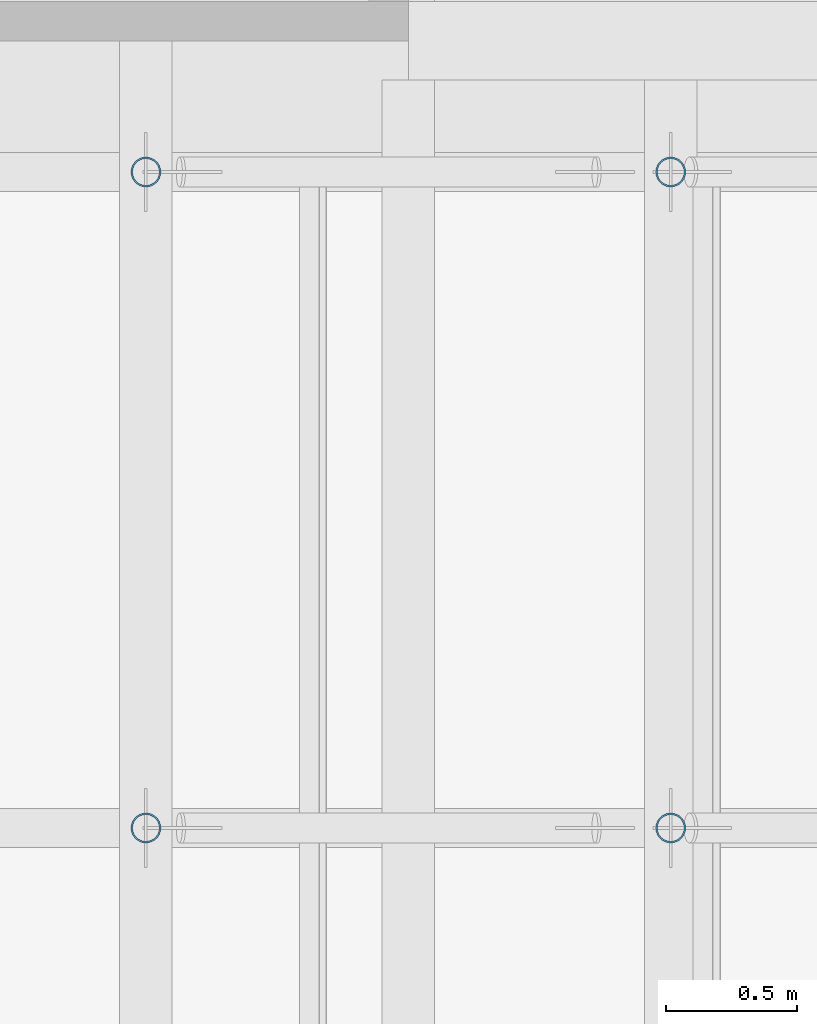
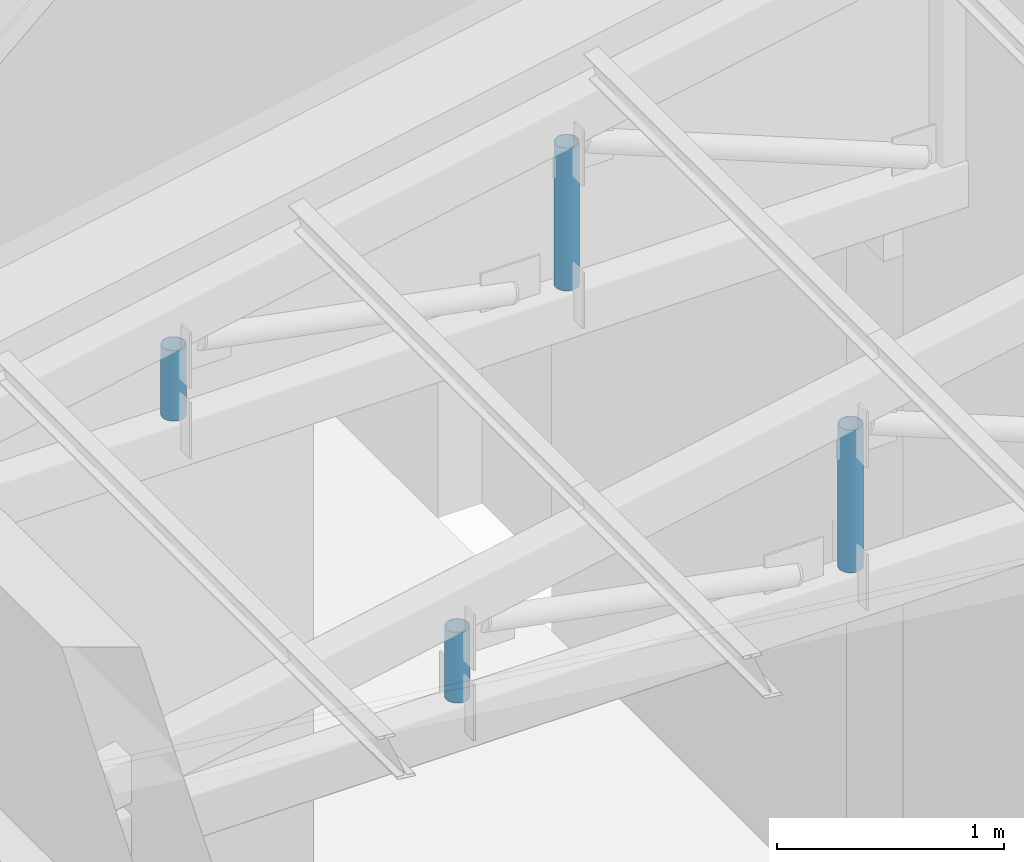
# One storey, part 55 of 118: 4 members.
"""IFC4 building model written with IfcOpenShell, lengths in metres."""

from ifc_helpers import new_model, si_unit, direction, frame, origin, origin_2d, place, context, subcontext, project, spatial, hollow_circle, extrude, material, material_profile, profile_set, type_object, element, save


model = new_model("IFC4")

# Units and contexts
model_context = context("Model", 3, precision=1e-05, world=origin(), true_north=direction((0.0, 1.0)))
body_context = subcontext(model_context, "Body", "Model", "MODEL_VIEW")
ifc_project = project(units=[si_unit("LENGTHUNIT", "METRE"), si_unit("AREAUNIT", "SQUARE_METRE"), si_unit("VOLUMEUNIT", "CUBIC_METRE"), si_unit("PLANEANGLEUNIT", "RADIAN"), si_unit("MASSUNIT", "GRAM", prefix="KILO")], contexts=[model_context])

# Site, building, storey
site_placement = place(None, origin())
site = spatial("IfcSite", under=ifc_project, at=site_placement, CompositionType="ELEMENT")
building_placement = place(site_placement, origin())
building = spatial("IfcBuilding", under=site, at=building_placement, Name="Saffron Lane Theatres", CompositionType="ELEMENT")
storey_placement = place(building_placement, frame((0.0, 0.0, 16.5)))
storey = spatial("IfcBuildingStorey", under=building, at=storey_placement, Name="L03", CompositionType="ELEMENT", Elevation=16.5)

# Members
ifc_material = material(Name="Steel Grade 350", Category="steel")
ifc_material_profile = material_profile(ifc_material, hollow_circle(Radius=0.05712890625, WallThickness=0.006103515625, at=origin_2d()))
ifc_profile_set = profile_set([ifc_material_profile], Name="Steel Grade 350")
member_type = type_object("IfcMemberType", Name="ST-STUDIO TRUSS WEB 114.3x6.0 CHS", PredefinedType="BRACE", material=ifc_profile_set)
member_1_placement = place(storey_placement, frame((14.0, 51.0, 4.75), z_axis=(0.0, 0.0, 1.0), x_axis=(1.0, 0.0, 0.0)))
element("IfcMember", 1, at=member_1_placement, inside=storey, type_object=member_type, Name="SB3-W32", PredefinedType="BRACE", context=body_context, shape_type="SweptSolid", body=[
    extrude(hollow_circle(Radius=0.05712890625, WallThickness=0.006103515625, at=origin_2d()), origin(), (0.0, 0.0, 1.0), 0.377197265625),
])
member_2_placement = place(storey_placement, frame((16.0, 51.0, 4.75), z_axis=(0.0, 0.0, 1.0), x_axis=(1.0, 0.0, 0.0)))
element("IfcMember", 2, at=member_2_placement, inside=storey, type_object=member_type, Name="SB3-W33", PredefinedType="BRACE", context=body_context, shape_type="SweptSolid", body=[
    extrude(hollow_circle(Radius=0.05712890625, WallThickness=0.006103515625, at=origin_2d()), origin(), (0.0, 0.0, 1.0), 0.765625),
])
member_3_placement = place(storey_placement, frame((14.0, 53.5, 4.75), z_axis=(0.0, 0.0, 1.0), x_axis=(1.0, 0.0, 0.0)))
element("IfcMember", 3, at=member_3_placement, inside=storey, type_object=member_type, Name="SB3-W39", PredefinedType="BRACE", context=body_context, shape_type="SweptSolid", body=[
    extrude(hollow_circle(Radius=0.05712890625, WallThickness=0.006103515625, at=origin_2d()), origin(), (0.0, 0.0, 1.0), 0.377197265625),
])
member_4_placement = place(storey_placement, frame((16.0, 53.5, 4.75), z_axis=(0.0, 0.0, 1.0), x_axis=(1.0, 0.0, 0.0)))
element("IfcMember", 4, at=member_4_placement, inside=storey, type_object=member_type, Name="SB3-W40", PredefinedType="BRACE", context=body_context, shape_type="SweptSolid", body=[
    extrude(hollow_circle(Radius=0.05712890625, WallThickness=0.006103515625, at=origin_2d()), origin(), (0.0, 0.0, 1.0), 0.765625),
])

save(model, "model.ifc")
